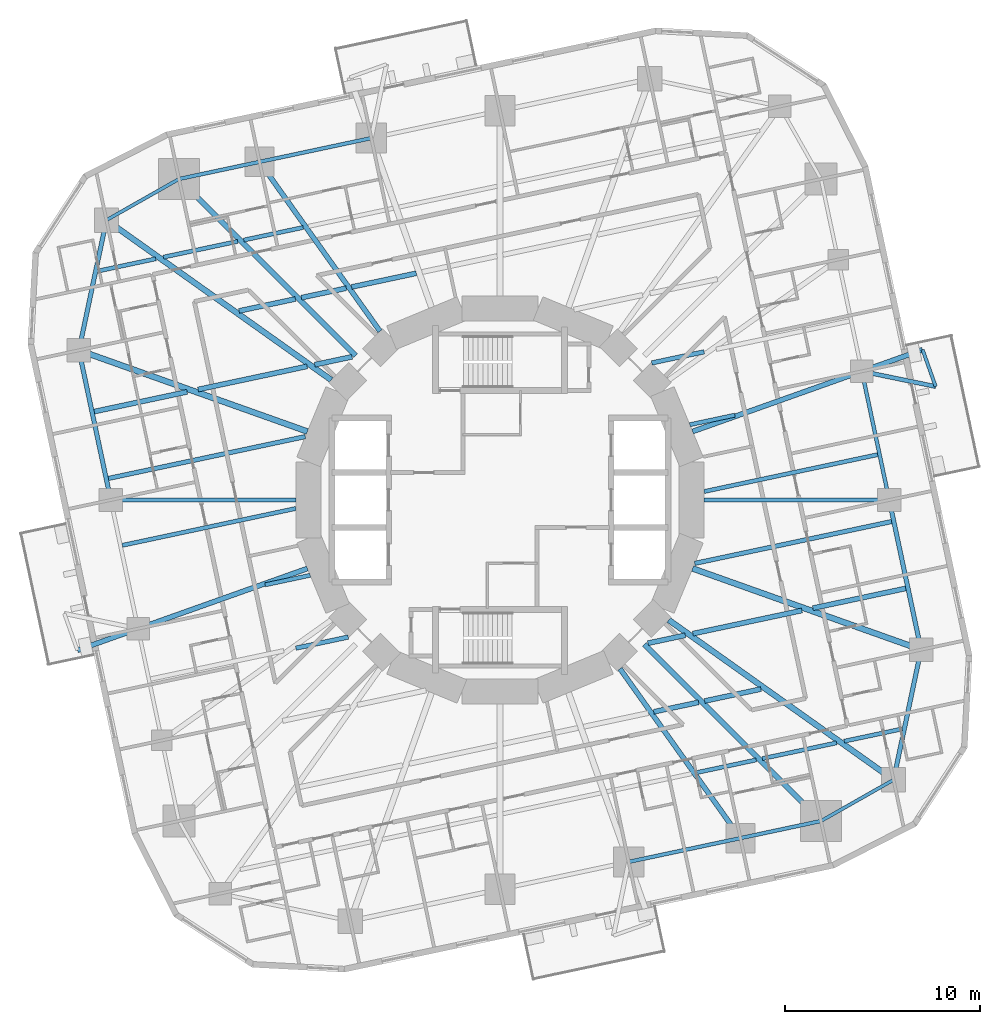
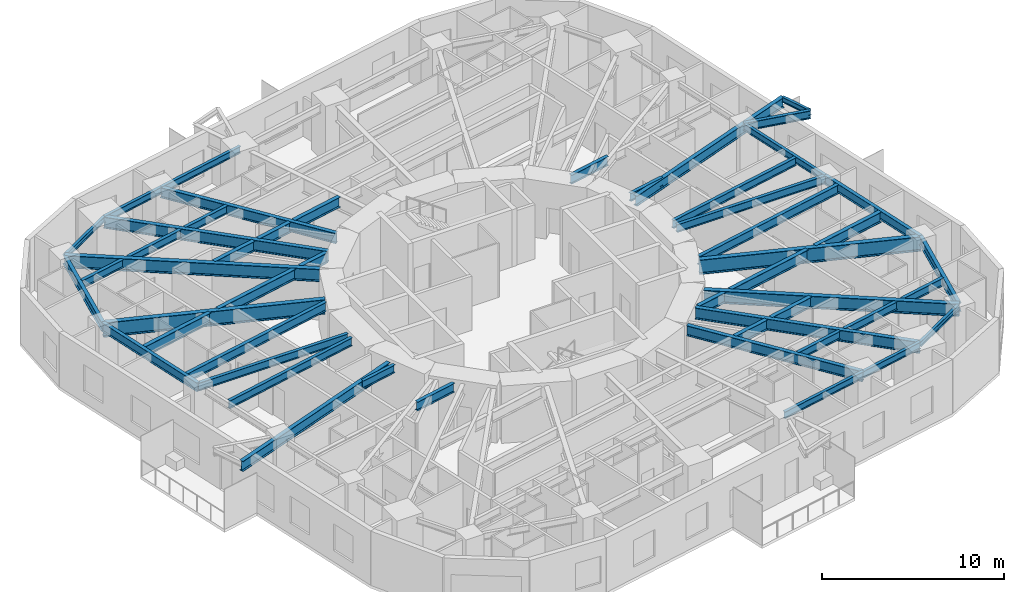
# One storey, part 2 of 14: 50 beams.
"""IFC4 building model written with IfcOpenShell, lengths in metres."""

import ifcopenshell
import ifcopenshell.guid

model = None  # the IFC model being written
_history = None  # IfcOwnerHistory: only IFC2X3 demands one
_inside = {}  # id of a spatial element -> (the spatial element, [elements in it])
_under = {}  # id of a project, library or spatial element -> (it, [spatial elements below it])
_declared = {}  # id of a project -> (the project, [libraries it declares])
_typed = {}  # id of a type object -> (the type object, [elements of that type])
_made_of = {}  # id of a material, layer set ... -> (it, [elements and type objects made of it])


def new_model(schema):
    """Start an empty IFC model of exactly this schema.

    Asked for "IFC4X3", IfcOpenShell would pick the latest addendum, in which some entities
    have other attributes; the version numbers below select the first issue.
    IFC2X3 requires an IfcOwnerHistory on every rooted entity: one is made here for all.
    """
    global model, _history
    if schema == "IFC4X3":
        model = ifcopenshell.file(schema_version=(4, 3, 0, 0))
    else:
        model = ifcopenshell.file(schema=schema)
    _inside.clear()
    _under.clear()
    _declared.clear()
    _typed.clear()
    _made_of.clear()
    _history = None
    if model.schema == "IFC2X3":
        org = make("IfcOrganization", Name="unknown")
        user = make(
            "IfcPersonAndOrganization",
            ThePerson=make("IfcPerson", FamilyName="unknown"),
            TheOrganization=org,
        )
        app = make(
            "IfcApplication",
            ApplicationDeveloper=org,
            Version="unknown",
            ApplicationFullName="unknown",
            ApplicationIdentifier="unknown",
        )
        _history = make(
            "IfcOwnerHistory",
            OwningUser=user,
            OwningApplication=app,
            ChangeAction="ADDED",
            CreationDate=0,
        )
    return model


def make(cls, **values):
    """One entity of the class cls with the attributes given. An attribute that is None is left unset."""
    return model.create_entity(
        cls, **{name: value for name, value in values.items() if value is not None}
    )


def rooted(cls, **values):
    """An entity with a GlobalId (a new one), such as an element, a storey or a relation."""
    return make(cls, GlobalId=ifcopenshell.guid.new(), OwnerHistory=_history, **values)


def si_unit(unit_type, name, prefix=None):
    """IfcSIUnit, for example si_unit("LENGTHUNIT", "METRE", prefix="MILLI")."""
    return make("IfcSIUnit", UnitType=unit_type, Prefix=prefix, Name=name)


def assignment(units):
    """IfcUnitAssignment: the units of a project."""
    return None if units is None else make("IfcUnitAssignment", Units=units)


def point(xyz):
    """IfcCartesianPoint."""
    return None if xyz is None else make("IfcCartesianPoint", Coordinates=xyz)


def direction(xyz):
    """IfcDirection."""
    return None if xyz is None else make("IfcDirection", DirectionRatios=xyz)


def frame(location, z_axis=None, x_axis=None):
    """IfcAxis2Placement3D, a coordinate frame: its origin and axes. An axis left out is left unset."""
    return make(
        "IfcAxis2Placement3D",
        Location=point(location),
        Axis=direction(z_axis),
        RefDirection=direction(x_axis),
    )


def frame_2d(location, x_axis=None):
    """IfcAxis2Placement2D, a coordinate frame in the plane: its origin and x axis."""
    return make(
        "IfcAxis2Placement2D", Location=point(location), RefDirection=direction(x_axis)
    )


def origin():
    """The frame at (0, 0, 0) with its axes left unset."""
    return frame((0.0, 0.0, 0.0))


def origin_2d():
    """The frame at (0, 0) in the plane with its x axis left unset."""
    return frame_2d((0.0, 0.0))


def place(relative_to, where):
    """IfcLocalPlacement: puts the frame where relative to a parent placement (None: the world)."""
    return make(
        "IfcLocalPlacement", PlacementRelTo=relative_to, RelativePlacement=where
    )


def context(
    kind, dimensions, precision=None, world=None, true_north=None, identifier=None
):
    """IfcGeometricRepresentationContext, for example the 3D "Model" context."""
    return make(
        "IfcGeometricRepresentationContext",
        ContextIdentifier=identifier,
        ContextType=kind,
        CoordinateSpaceDimension=dimensions,
        Precision=precision,
        WorldCoordinateSystem=world,
        TrueNorth=true_north,
    )


def subcontext(parent, identifier, kind, view, scale=None):
    """IfcGeometricRepresentationSubContext, for example "Body" below "Model"."""
    return make(
        "IfcGeometricRepresentationSubContext",
        ContextIdentifier=identifier,
        ContextType=kind,
        ParentContext=parent,
        TargetScale=scale,
        TargetView=view,
    )


def project(units=None, contexts=None):
    """IfcProject with its units and contexts."""
    return rooted(
        "IfcProject",
        Name="project",
        RepresentationContexts=contexts,
        UnitsInContext=assignment(units),
    )


def spatial(cls, under=None, at=None, **own):
    """A site, building, storey or space (cls), placed at a placement, below another one or the project."""
    s = rooted(cls, ObjectPlacement=at, **own)
    if under is not None:
        _under.setdefault(under.id(), (under, []))[1].append(s)
    return s


def profile(cls, at=None, kind="AREA", **sizes):
    """A parametric profile (cls). Its sizes go by their IFC names, for example OverallWidth=200.0."""
    return make(cls, ProfileType=kind, Position=at, **sizes)


def i_section(**sizes):
    """IfcIShapeProfileDef."""
    return profile("IfcIShapeProfileDef", **sizes)


def extrude(swept, where, along, depth):
    """IfcExtrudedAreaSolid: the profile swept, set in the frame where, extruded along a direction by depth."""
    return make(
        "IfcExtrudedAreaSolid",
        SweptArea=swept,
        Position=where,
        ExtrudedDirection=direction(along),
        Depth=depth,
    )


def shape(context_of_items, identifier, shape_type, items):
    """IfcShapeRepresentation: the items that make up one representation, for example the "Body"."""
    return make(
        "IfcShapeRepresentation",
        ContextOfItems=context_of_items,
        RepresentationIdentifier=identifier,
        RepresentationType=shape_type,
        Items=items,
    )


def material(Name=None, Category=None):
    """IfcMaterial."""
    return make("IfcMaterial", Name=Name, Category=Category)


def material_profile(
    of_material, cross_section, Name=None, Category=None, Priority=None
):
    """IfcMaterialProfile: a cross section and its material."""
    return make(
        "IfcMaterialProfile",
        Name=Name,
        Material=of_material,
        Profile=cross_section,
        Priority=Priority,
        Category=Category,
    )


def profile_set(profiles, Name=None, composite=None):
    """IfcMaterialProfileSet."""
    return make(
        "IfcMaterialProfileSet",
        Name=Name,
        MaterialProfiles=profiles,
        CompositeProfile=composite,
    )


def made_of(thing, what):
    """Note that an element or type object is made of a material, layer set ...; save() writes the relation."""
    if what is not None:
        _made_of.setdefault(what.id(), (what, []))[1].append(thing)
    return thing


def type_object(cls, material=None, **own):
    """A type object (cls), such as IfcWallType, which elements share."""
    return made_of(rooted(cls, **own), material)


def element(
    cls,
    number,
    at=None,
    inside=None,
    cuts=None,
    type_object=None,
    material=None,
    context=None,
    identifier="Body",
    shape_type=None,
    held_by="IfcProductDefinitionShape",
    body=None,
    shapes=None,
    **own,
):
    """One element of the class cls, such as IfcWall. Its Tag is "e" and its number.

    at: its placement. inside: the storey or other place that contains it. cuts: it is an
    opening in that element (IfcRelVoidsElement). A single representation is given by context,
    identifier, shape_type and body (its items); several are given by shapes. held_by: the class
    of the entity that holds the representations. save() writes the other relations.
    """
    e = rooted(cls, Tag="e%d" % number, ObjectPlacement=at, **own)
    if body is not None:
        shapes = [shape(context, identifier, shape_type, body)]
    if shapes is not None:
        e.Representation = make(held_by, Representations=shapes)
    if inside is not None:
        _inside.setdefault(inside.id(), (inside, []))[1].append(e)
    if cuts is not None:
        rooted(
            "IfcRelVoidsElement", RelatingBuildingElement=cuts, RelatedOpeningElement=e
        )
    if type_object is not None:
        _typed.setdefault(type_object.id(), (type_object, []))[1].append(e)
    return made_of(e, material)


def aggregate(whole, parts):
    """IfcRelAggregates: a whole, such as a stair, and the parts it consists of."""
    return rooted("IfcRelAggregates", RelatingObject=whole, RelatedObjects=parts)


def save(model, path):
    """Write the relations noted so far, then the file.

    IfcRelAggregates (storeys below a building ...), IfcRelContainedInSpatialStructure (elements
    in a storey), IfcRelDefinesByType, IfcRelAssociatesMaterial and IfcRelDeclares: one each for
    every whole, place, type object, material and project.
    """
    for whole, parts in _under.values():
        aggregate(whole, parts)
    for where, things in _inside.values():
        rooted(
            "IfcRelContainedInSpatialStructure",
            RelatedElements=things,
            RelatingStructure=where,
        )
    for kind, things in _typed.values():
        rooted("IfcRelDefinesByType", RelatedObjects=things, RelatingType=kind)
    for what, things in _made_of.values():
        rooted("IfcRelAssociatesMaterial", RelatedObjects=things, RelatingMaterial=what)
    for by, libraries in _declared.values():
        rooted("IfcRelDeclares", RelatingContext=by, RelatedDefinitions=libraries)
    model.write(path)


model = new_model("IFC4")

# Units and contexts
model_context = context("Model", 3, precision=1e-05, world=origin(), true_north=direction((0.0, 1.0)))
body_context = subcontext(model_context, "Body", "Model", "MODEL_VIEW")
ifc_project = project(units=[si_unit("LENGTHUNIT", "METRE"), si_unit("AREAUNIT", "SQUARE_METRE"), si_unit("VOLUMEUNIT", "CUBIC_METRE"), si_unit("PLANEANGLEUNIT", "RADIAN"), si_unit("MASSUNIT", "GRAM", prefix="KILO")], contexts=[model_context])

# Site, building, storey
site_placement = place(None, origin())
site = spatial("IfcSite", under=ifc_project, at=site_placement, CompositionType="ELEMENT")
building_placement = place(site_placement, origin())
building = spatial("IfcBuilding", under=site, at=building_placement, Name="Nakasero Lantern House", CompositionType="ELEMENT")
storey_placement = place(building_placement, frame((0.0, 0.0, 124.25)))
storey = spatial("IfcBuildingStorey", under=building, at=storey_placement, Name="L30", CompositionType="ELEMENT", Elevation=124.25)

# Beams
ifc_material_1 = material(Name="Steel S355", Category="steel")
ifc_material_profile_1 = material_profile(ifc_material_1, i_section(OverallWidth=0.2138671875, OverallDepth=0.549072265625, WebThickness=0.0146484375, FlangeThickness=0.023681640625, FilletRadius=0.0126953125, at=origin_2d()), Name="UB 533x210x138")
ifc_profile_set_1 = profile_set([ifc_material_profile_1], Name="Steel S355")
beam_type_1 = type_object("IfcBeamType", Name="Balcony splay beam UB 533x210x138", PredefinedType="BEAM", material=ifc_profile_set_1)
beam_1_placement = place(storey_placement, frame((18.534912109375, 6.590087890625, 3.37548828125), z_axis=(0.979420272605, -0.201831438605, 0.0), x_axis=(0.201831438605, 0.979420272605, 0.0)))
element("IfcBeam", 1, at=beam_1_placement, inside=storey, type_object=beam_type_1, Name="Balcony splay beam L31 B3-C04A", PredefinedType="BEAM", context=body_context, shape_type="SweptSolid", body=[
    extrude(i_section(OverallWidth=0.2138671875, OverallDepth=0.549072265625, WebThickness=0.0146484375, FlangeThickness=0.023681640625, FilletRadius=0.0126953125, at=origin_2d()), origin(), (0.0, 0.0, 1.0), 3.858642578125),
])
ifc_material_2 = material(Name="Steel S355", Category="steel")
ifc_material_profile_2 = material_profile(ifc_material_2, i_section(OverallWidth=0.17138671875, OverallDepth=0.35498046875, WebThickness=0.00732421875, FlangeThickness=0.011474609375, FilletRadius=0.01025390625, at=origin_2d()), Name="UB 356x171x51")
ifc_profile_set_2 = profile_set([ifc_material_profile_2], Name="Steel S355")
beam_type_2 = type_object("IfcBeamType", Name="Balcony tie beam UB 356x171x51", PredefinedType="BEAM", material=ifc_profile_set_2)
beam_2_placement = place(storey_placement, frame((22.314208984375, 5.811279296875, 3.472412109375), z_axis=(-0.335060236487, 0.942196708721, 0.0), x_axis=(-0.942196708721, -0.335060236487, 0.0)))
element("IfcBeam", 2, at=beam_2_placement, inside=storey, type_object=beam_type_2, Name="Balcony tie beam L31 B3-C04", PredefinedType="BEAM", context=body_context, shape_type="SweptSolid", body=[
    extrude(i_section(OverallWidth=0.17138671875, OverallDepth=0.35498046875, WebThickness=0.00732421875, FlangeThickness=0.011474609375, FilletRadius=0.01025390625, at=origin_2d()), origin(), (0.0, 0.0, 1.0), 2.000244140625),
])
ifc_material_3 = material(Name="Steel S355", Category="steel")
ifc_material_profile_3 = material_profile(ifc_material_3, i_section(OverallWidth=0.2099609375, OverallDepth=0.53662109375, WebThickness=0.0107421875, FlangeThickness=0.017333984375, FilletRadius=0.0126953125, at=origin_2d()), Name="UB 533x210x101")
ifc_profile_set_3 = profile_set([ifc_material_profile_3], Name="Steel S355")
beam_type_3 = type_object("IfcBeamType", Name="Infill beam UB 533x210x101", PredefinedType="JOIST", material=ifc_profile_set_3)
beam_3_placement = place(storey_placement, frame((10.0830078125, -13.958740234375, 3.381591796875), z_axis=(0.97813788874, 0.207957376908, 0.0), x_axis=(-0.207957376908, 0.97813788874, 0.0)))
element("IfcBeam", 3, at=beam_3_placement, inside=storey, type_object=beam_type_3, Name="Infill beam L31 03.5", PredefinedType="JOIST", context=body_context, shape_type="SweptSolid", body=[
    extrude(i_section(OverallWidth=0.2099609375, OverallDepth=0.53662109375, WebThickness=0.0107421875, FlangeThickness=0.017333984375, FilletRadius=0.0126953125, at=origin_2d()), origin(), (0.0, 0.0, 1.0), 3.108642578125),
])
beam_4_placement = place(storey_placement, frame((13.434814453125, -13.24609375, 3.381591796875), z_axis=(0.978152946383, 0.207886539924, 0.0), x_axis=(-0.207886539924, 0.978152946383, 0.0)))
element("IfcBeam", 4, at=beam_4_placement, inside=storey, type_object=beam_type_3, Name="Infill beam L31 03.6", PredefinedType="JOIST", context=body_context, shape_type="SweptSolid", body=[
    extrude(i_section(OverallWidth=0.2099609375, OverallDepth=0.53662109375, WebThickness=0.0107421875, FlangeThickness=0.017333984375, FilletRadius=0.0126953125, at=origin_2d()), origin(), (0.0, 0.0, 1.0), 3.888427734375),
])
beam_5_placement = place(storey_placement, frame((17.626708984375, -12.355224609375, 3.381591796875), z_axis=(0.978152299812, 0.207889582165, 0.0), x_axis=(-0.207889582165, 0.978152299812, 0.0)))
element("IfcBeam", 5, at=beam_5_placement, inside=storey, type_object=beam_type_3, Name="Infill beam L31 03.7", PredefinedType="JOIST", context=body_context, shape_type="SweptSolid", body=[
    extrude(i_section(OverallWidth=0.2099609375, OverallDepth=0.53662109375, WebThickness=0.0107421875, FlangeThickness=0.017333984375, FilletRadius=0.0126953125, at=origin_2d()), origin(), (0.0, 0.0, 1.0), 3.031005859375),
])
beam_6_placement = place(storey_placement, frame((-12.030029296875, -4.34619140625, 3.381591796875), z_axis=(0.97814938161, 0.207903312278, 0.0), x_axis=(-0.207903312278, 0.97814938161, 0.0)))
element("IfcBeam", 6, at=beam_6_placement, inside=storey, type_object=beam_type_3, Name="Infill beam L31 07.1", PredefinedType="JOIST", context=body_context, shape_type="SweptSolid", body=[
    extrude(i_section(OverallWidth=0.2099609375, OverallDepth=0.53662109375, WebThickness=0.0107421875, FlangeThickness=0.017333984375, FilletRadius=0.0126953125, at=origin_2d()), origin(), (0.0, 0.0, 1.0), 2.359130859375),
])
for number, where, z_axis, x_axis, name in (
    (7, (10.457763671875, 0.433837890625, 3.381591796875), (0.978146760676, 0.207915642939, 0.0), (-0.207915642939, 0.978146760676, 0.0), "Infill beam L31 07.2"),
    (8, (-19.34423828125, -2.32275390625, 3.381591796875), (0.978146760676, 0.207915642939, 0.0), (-0.207915642939, 0.978146760676, 0.0), "Infill beam L31 08.1"),
):
    element("IfcBeam", number, at=place(storey_placement, frame(where, z_axis=z_axis, x_axis=x_axis)), inside=storey, type_object=beam_type_3, Name=name, PredefinedType="JOIST", context=body_context, shape_type="SweptSolid", body=[
        extrude(i_section(OverallWidth=0.2099609375, OverallDepth=0.53662109375, WebThickness=0.0107421875, FlangeThickness=0.017333984375, FilletRadius=0.0126953125, at=origin_2d()), origin(), (0.0, 0.0, 1.0), 9.0849609375),
    ])
beam_7_placement = place(storey_placement, frame((9.722412109375, 3.855712890625, 3.381591796875), z_axis=(0.97814938161, 0.207903312278, 0.0), x_axis=(-0.207903312278, 0.97814938161, 0.0)))
element("IfcBeam", 9, at=beam_7_placement, inside=storey, type_object=beam_type_3, Name="Infill beam L31 08.2", PredefinedType="JOIST", context=body_context, shape_type="SweptSolid", body=[
    extrude(i_section(OverallWidth=0.2099609375, OverallDepth=0.53662109375, WebThickness=0.0107421875, FlangeThickness=0.017333984375, FilletRadius=0.0126953125, at=origin_2d()), origin(), (0.0, 0.0, 1.0), 2.359130859375),
])
beam_8_placement = place(storey_placement, frame((-20.591552734375, 11.72509765625, 3.381591796875), z_axis=(0.978152299812, 0.207889582165, 0.0), x_axis=(-0.207889582165, 0.978152299812, 0.0)))
element("IfcBeam", 10, at=beam_8_placement, inside=storey, type_object=beam_type_3, Name="Infill beam L31 12.1", PredefinedType="JOIST", context=body_context, shape_type="SweptSolid", body=[
    extrude(i_section(OverallWidth=0.2099609375, OverallDepth=0.53662109375, WebThickness=0.0107421875, FlangeThickness=0.017333984375, FilletRadius=0.0126953125, at=origin_2d()), origin(), (0.0, 0.0, 1.0), 3.031005859375),
])
beam_9_placement = place(storey_placement, frame((-17.23828125, 12.437744140625, 3.381591796875), z_axis=(0.978152946383, 0.207886539924, 0.0), x_axis=(-0.207886539924, 0.978152946383, 0.0)))
element("IfcBeam", 11, at=beam_9_placement, inside=storey, type_object=beam_type_3, Name="Infill beam L31 12.2", PredefinedType="JOIST", context=body_context, shape_type="SweptSolid", body=[
    extrude(i_section(OverallWidth=0.2099609375, OverallDepth=0.53662109375, WebThickness=0.0107421875, FlangeThickness=0.017333984375, FilletRadius=0.0126953125, at=origin_2d()), origin(), (0.0, 0.0, 1.0), 3.888427734375),
])
beam_10_placement = place(storey_placement, frame((-13.123779296875, 13.312255859375, 3.381591796875), z_axis=(0.97813788874, 0.207957376908, 0.0), x_axis=(-0.207957376908, 0.97813788874, 0.0)))
element("IfcBeam", 12, at=beam_10_placement, inside=storey, type_object=beam_type_3, Name="Infill beam L31 12.3", PredefinedType="JOIST", context=body_context, shape_type="SweptSolid", body=[
    extrude(i_section(OverallWidth=0.2099609375, OverallDepth=0.53662109375, WebThickness=0.0107421875, FlangeThickness=0.017333984375, FilletRadius=0.0126953125, at=origin_2d()), origin(), (0.0, 0.0, 1.0), 3.108642578125),
])
ifc_material_4 = material(Name="Steel S355", Category="steel")
ifc_material_profile_4 = material_profile(ifc_material_4, i_section(OverallWidth=0.2275390625, OverallDepth=0.6025390625, WebThickness=0.010498046875, FlangeThickness=0.014892578125, FilletRadius=0.0126953125, at=origin_2d()), Name="UB 610x229x101")
ifc_profile_set_4 = profile_set([ifc_material_profile_4], Name="Steel S355")
beam_type_4 = type_object("IfcBeamType", Name="Infill beam UB 610x229x101", PredefinedType="JOIST", material=ifc_profile_set_4)
beam_11_placement = place(storey_placement, frame((-10.453369140625, -7.58935546875, 3.3486328125), z_axis=(0.978139842642, 0.207948186423, 0.0), x_axis=(-0.207948186423, 0.978139842642, 0.0)))
element("IfcBeam", 13, at=beam_11_placement, inside=storey, type_object=beam_type_4, Name="Infill beam L31 06.2", PredefinedType="JOIST", context=body_context, shape_type="SweptSolid", body=[
    extrude(i_section(OverallWidth=0.2275390625, OverallDepth=0.6025390625, WebThickness=0.010498046875, FlangeThickness=0.014892578125, FilletRadius=0.0126953125, at=origin_2d()), origin(), (0.0, 0.0, 1.0), 2.74267578125),
])
for number, where, z_axis, x_axis, name in (
    (14, (9.974365234375, -3.2470703125, 3.3486328125), (0.978151564707, 0.207893040916, 0.0), (-0.207893040916, 0.978151564707, 0.0), "Infill beam L31 06.3"),
    (15, (-20.05419921875, 1.104736328125, 3.3486328125), (0.978151564707, 0.207893040916, 0.0), (-0.207893040916, 0.978151564707, 0.0), "Infill beam L31 09.1"),
):
    element("IfcBeam", number, at=place(storey_placement, frame(where, z_axis=z_axis, x_axis=x_axis)), inside=storey, type_object=beam_type_4, Name=name, PredefinedType="JOIST", context=body_context, shape_type="SweptSolid", body=[
        extrude(i_section(OverallWidth=0.2275390625, OverallDepth=0.6025390625, WebThickness=0.010498046875, FlangeThickness=0.014892578125, FilletRadius=0.0126953125, at=origin_2d()), origin(), (0.0, 0.0, 1.0), 10.304931640625),
    ])
beam_12_placement = place(storey_placement, frame((7.770751953125, 7.01904296875, 3.3486328125), z_axis=(0.978139842642, 0.207948186423, 0.0), x_axis=(-0.207948186423, 0.978139842642, 0.0)))
element("IfcBeam", 16, at=beam_12_placement, inside=storey, type_object=beam_type_4, Name="Infill beam L31 09.2", PredefinedType="JOIST", context=body_context, shape_type="SweptSolid", body=[
    extrude(i_section(OverallWidth=0.2275390625, OverallDepth=0.6025390625, WebThickness=0.010498046875, FlangeThickness=0.014892578125, FilletRadius=0.0126953125, at=origin_2d()), origin(), (0.0, 0.0, 1.0), 2.74267578125),
])
ifc_material_5 = material(Name="Steel S355", Category="steel")
ifc_material_profile_5 = material_profile(ifc_material_5, i_section(OverallWidth=0.253662109375, OverallDepth=0.68359375, WebThickness=0.012451171875, FlangeThickness=0.01904296875, FilletRadius=0.01513671875, at=origin_2d()), Name="UB 686x254x140")
ifc_profile_set_5 = profile_set([ifc_material_profile_5], Name="Steel S355")
beam_type_5 = type_object("IfcBeamType", Name="Infill beam UB 686x254x140", PredefinedType="JOIST", material=ifc_profile_set_5)
beam_13_placement = place(storey_placement, frame((7.872802734375, -10.850341796875, 3.308349609375), z_axis=(0.97813694426, 0.207961819271, 0.0), x_axis=(-0.207961819271, 0.97813694426, 0.0)))
element("IfcBeam", 17, at=beam_13_placement, inside=storey, type_object=beam_type_5, Name="Infill beam L31 04.5", PredefinedType="JOIST", context=body_context, shape_type="SweptSolid", body=[
    extrude(i_section(OverallWidth=0.253662109375, OverallDepth=0.68359375, WebThickness=0.012451171875, FlangeThickness=0.01904296875, FilletRadius=0.01513671875, at=origin_2d()), origin(), (0.0, 0.0, 1.0), 2.3515625),
])
for number, where, z_axis, x_axis, name in (
    (18, (10.48388671875, -10.295166015625, 3.308349609375), (0.978146839882, 0.207915270313, 0.0), (-0.207915270313, 0.978146839882, 0.0), "Infill beam L31 04.6"),
    (19, (-13.364501953125, 9.682861328125, 3.308349609375), (0.978146839882, 0.207915270313, 0.0), (-0.207915270313, 0.978146839882, 0.0), "Infill beam L31 11.1"),
):
    element("IfcBeam", number, at=place(storey_placement, frame(where, z_axis=z_axis, x_axis=x_axis)), inside=storey, type_object=beam_type_5, Name=name, PredefinedType="JOIST", context=body_context, shape_type="SweptSolid", body=[
        extrude(i_section(OverallWidth=0.253662109375, OverallDepth=0.68359375, WebThickness=0.012451171875, FlangeThickness=0.01904296875, FilletRadius=0.01513671875, at=origin_2d()), origin(), (0.0, 0.0, 1.0), 2.945068359375),
    ])
beam_14_placement = place(storey_placement, frame((-10.1728515625, 10.361328125, 3.308349609375), z_axis=(0.97813694426, 0.207961819271, 0.0), x_axis=(-0.207961819271, 0.97813694426, 0.0)))
element("IfcBeam", 20, at=beam_14_placement, inside=storey, type_object=beam_type_5, Name="Infill beam L31 11.2", PredefinedType="JOIST", context=body_context, shape_type="SweptSolid", body=[
    extrude(i_section(OverallWidth=0.253662109375, OverallDepth=0.68359375, WebThickness=0.012451171875, FlangeThickness=0.01904296875, FilletRadius=0.01513671875, at=origin_2d()), origin(), (0.0, 0.0, 1.0), 2.3515625),
])
beam_15_placement = place(storey_placement, frame((-7.60009765625, 10.908203125, 3.308349609375), z_axis=(0.978143084163, 0.207932938478, 0.0), x_axis=(-0.207932938478, 0.978143084163, 0.0)))
element("IfcBeam", 21, at=beam_15_placement, inside=storey, type_object=beam_type_5, Name="Infill beam L31 11.3", PredefinedType="JOIST", context=body_context, shape_type="SweptSolid", body=[
    extrude(i_section(OverallWidth=0.253662109375, OverallDepth=0.68359375, WebThickness=0.012451171875, FlangeThickness=0.01904296875, FilletRadius=0.01513671875, at=origin_2d()), origin(), (0.0, 0.0, 1.0), 3.385009765625),
])
ifc_material_6 = material(Name="Steel S355", Category="steel")
ifc_material_profile_6 = material_profile(ifc_material_6, i_section(OverallWidth=0.255859375, OverallDepth=0.69287109375, WebThickness=0.014404296875, FlangeThickness=0.023681640625, FilletRadius=0.01513671875, at=origin_2d()), Name="UB 686x254x170")
ifc_profile_set_6 = profile_set([ifc_material_profile_6], Name="Steel S355")
beam_type_6 = type_object("IfcBeamType", Name="Infill beam UB 686x254x170", PredefinedType="JOIST", material=ifc_profile_set_6)
beam_16_placement = place(storey_placement, frame((7.5771484375, -7.3349609375, 3.303466796875), z_axis=(0.978142670498, 0.207934884401, 0.0), x_axis=(-0.207934884401, 0.978142670498, 0.0)))
element("IfcBeam", 22, at=beam_16_placement, inside=storey, type_object=beam_type_6, Name="Infill beam L31 05.3", PredefinedType="JOIST", context=body_context, shape_type="SweptSolid", body=[
    extrude(i_section(OverallWidth=0.255859375, OverallDepth=0.69287109375, WebThickness=0.014404296875, FlangeThickness=0.023681640625, FilletRadius=0.01513671875, at=origin_2d()), origin(), (0.0, 0.0, 1.0), 1.9560546875),
])
beam_17_placement = place(storey_placement, frame((9.87890625, -6.845703125, 3.303466796875), z_axis=(0.978148855575, 0.207905787166, 0.0), x_axis=(-0.207905787166, 0.978148855575, 0.0)))
element("IfcBeam", 23, at=beam_17_placement, inside=storey, type_object=beam_type_6, Name="Infill beam L31 05.4", PredefinedType="JOIST", context=body_context, shape_type="SweptSolid", body=[
    extrude(i_section(OverallWidth=0.255859375, OverallDepth=0.69287109375, WebThickness=0.014404296875, FlangeThickness=0.023681640625, FilletRadius=0.01513671875, at=origin_2d()), origin(), (0.0, 0.0, 1.0), 5.711669921875),
])
for number, where, z_axis, x_axis, name in (
    (24, (16.026123046875, -5.5390625, 3.303466796875), (0.978141363358, 0.207941033198, 0.0), (-0.207941033198, 0.978141363358, 0.0), "Infill beam L31 05.5"),
    (25, (-20.78173828125, 4.528076171875, 3.303466796875), (0.978141363358, 0.207941033198, 0.0), (-0.207941033198, 0.978141363358, 0.0), "Infill beam L31 10.1"),
):
    element("IfcBeam", number, at=place(storey_placement, frame(where, z_axis=z_axis, x_axis=x_axis)), inside=storey, type_object=beam_type_6, Name=name, PredefinedType="JOIST", context=body_context, shape_type="SweptSolid", body=[
        extrude(i_section(OverallWidth=0.255859375, OverallDepth=0.69287109375, WebThickness=0.014404296875, FlangeThickness=0.023681640625, FilletRadius=0.01513671875, at=origin_2d()), origin(), (0.0, 0.0, 1.0), 4.86181640625),
    ])
beam_18_placement = place(storey_placement, frame((-15.4658203125, 5.658203125, 3.303466796875), z_axis=(0.978148855575, 0.207905787166, 0.0), x_axis=(-0.207905787166, 0.978148855575, 0.0)))
element("IfcBeam", 26, at=beam_18_placement, inside=storey, type_object=beam_type_6, Name="Infill beam L31 10.2", PredefinedType="JOIST", context=body_context, shape_type="SweptSolid", body=[
    extrude(i_section(OverallWidth=0.255859375, OverallDepth=0.69287109375, WebThickness=0.014404296875, FlangeThickness=0.023681640625, FilletRadius=0.01513671875, at=origin_2d()), origin(), (0.0, 0.0, 1.0), 5.711669921875),
])
beam_19_placement = place(storey_placement, frame((-9.490478515625, 6.92822265625, 3.303466796875), z_axis=(0.978142670498, 0.207934884401, 0.0), x_axis=(-0.207934884401, 0.978142670498, 0.0)))
element("IfcBeam", 27, at=beam_19_placement, inside=storey, type_object=beam_type_6, Name="Infill beam L31 10.3", PredefinedType="JOIST", context=body_context, shape_type="SweptSolid", body=[
    extrude(i_section(OverallWidth=0.255859375, OverallDepth=0.69287109375, WebThickness=0.014404296875, FlangeThickness=0.023681640625, FilletRadius=0.01513671875, at=origin_2d()), origin(), (0.0, 0.0, 1.0), 1.9560546875),
])
ifc_material_7 = material(Name="Steel S355", Category="steel")
ifc_material_profile_7 = material_profile(ifc_material_7, i_section(OverallWidth=0.300048828125, OverallDepth=0.97998046875, WebThickness=0.0166015625, FlangeThickness=0.02587890625, FilletRadius=0.030029296875, at=origin_2d()), Name="UB 1016x305x249")
ifc_profile_set_7 = profile_set([ifc_material_profile_7], Name="Steel S355")
beam_type_7 = type_object("IfcBeamType", Name="Primary beam UB 1016x305x249, span 12 to 15 m", PredefinedType="BEAM", material=ifc_profile_set_7)
for number, where, z_axis, x_axis, name in (
    (28, (21.5654296875, -7.667724609375, 3.159912109375), (-0.942213862739, 0.335011995103, 0.0), (-0.335011995103, -0.942213862739, 0.0), "Primary beam L31 B3-C02"),
    (29, (-21.5654296875, 7.667724609375, 3.159912109375), (0.942213862739, -0.335011995103, 0.0), (0.335011995103, 0.942213862739, 0.0), "Primary beam L31 B3-C14"),
):
    element("IfcBeam", number, at=place(storey_placement, frame(where, z_axis=z_axis, x_axis=x_axis)), inside=storey, type_object=beam_type_7, Name=name, PredefinedType="BEAM", context=body_context, shape_type="SweptSolid", body=[
        extrude(i_section(OverallWidth=0.300048828125, OverallDepth=0.97998046875, WebThickness=0.0166015625, FlangeThickness=0.02587890625, FilletRadius=0.030029296875, at=origin_2d()), origin(), (0.0, 0.0, 1.0), 12.41650390625),
    ])
ifc_material_8 = material(Name="Steel S355", Category="steel")
ifc_material_profile_8 = material_profile(ifc_material_8, i_section(OverallWidth=0.208740234375, OverallDepth=0.5283203125, WebThickness=0.009521484375, FlangeThickness=0.01318359375, FilletRadius=0.0126953125, at=origin_2d()), Name="UB 533x210x82")
ifc_profile_set_8 = profile_set([ifc_material_profile_8], Name="Steel S355")
beam_type_8 = type_object("IfcBeamType", Name="Primary beam UB 533x210x82, span 9 to 12 m", PredefinedType="BEAM", material=ifc_profile_set_8)
for number, where, z_axis, x_axis, name in (
    (30, (19.935546875, 0.0, 3.3857421875), (-1.0, 0.0, 0.0), (0.0, -1.0, 0.0), "Primary beam L31 B3-C03"),
    (31, (-19.935546875, 0.0, 3.3857421875), (1.0, 0.0, 0.0), (0.0, 1.0, 0.0), "Primary beam L31 B3-C15"),
):
    element("IfcBeam", number, at=place(storey_placement, frame(where, z_axis=z_axis, x_axis=x_axis)), inside=storey, type_object=beam_type_8, Name=name, PredefinedType="BEAM", context=body_context, shape_type="SweptSolid", body=[
        extrude(i_section(OverallWidth=0.208740234375, OverallDepth=0.5283203125, WebThickness=0.009521484375, FlangeThickness=0.01318359375, FilletRadius=0.0126953125, at=origin_2d()), origin(), (0.0, 0.0, 1.0), 9.477783203125),
    ])
ifc_material_9 = material(Name="Steel S355", Category="steel")
ifc_material_profile_9 = material_profile(ifc_material_9, i_section(OverallWidth=0.255859375, OverallDepth=0.69287109375, WebThickness=0.014404296875, FlangeThickness=0.023681640625, FilletRadius=0.01513671875, at=origin_2d()), Name="UB 686x254x170")
ifc_profile_set_9 = profile_set([ifc_material_profile_9], Name="Steel S355")
beam_type_9 = type_object("IfcBeamType", Name="Primary beam UB 686x254x170, span 9 to 12 m", PredefinedType="BEAM", material=ifc_profile_set_9)
beam_20_placement = place(storey_placement, frame((21.64404296875, 7.69580078125, 3.303466796875), z_axis=(-0.942210717159, -0.335020841845, 0.0), x_axis=(0.335020841845, -0.942210717159, 0.0)))
element("IfcBeam", 32, at=beam_20_placement, inside=storey, type_object=beam_type_9, Name="Primary beam L31 B3-C04", PredefinedType="BEAM", context=body_context, shape_type="SweptSolid", body=[
    extrude(i_section(OverallWidth=0.255859375, OverallDepth=0.69287109375, WebThickness=0.014404296875, FlangeThickness=0.023681640625, FilletRadius=0.01513671875, at=origin_2d()), origin(), (0.0, 0.0, 1.0), 12.5),
])
beam_21_placement = place(storey_placement, frame((-12.31494140625, 17.318115234375, 3.303466796875), z_axis=(0.579520739774, -0.814957491022, 0.0), x_axis=(0.814957491022, 0.579520739774, 0.0)))
element("IfcBeam", 33, at=beam_21_placement, inside=storey, type_object=beam_type_9, Name="Primary beam L31 B3-C11", PredefinedType="BEAM", context=body_context, shape_type="SweptSolid", body=[
    extrude(i_section(OverallWidth=0.255859375, OverallDepth=0.69287109375, WebThickness=0.014404296875, FlangeThickness=0.023681640625, FilletRadius=0.01513671875, at=origin_2d()), origin(), (0.0, 0.0, 1.0), 10.64453125),
])
beam_22_placement = place(storey_placement, frame((-21.64404296875, -7.69580078125, 3.303466796875), z_axis=(0.942210717159, 0.335020841845, 0.0), x_axis=(-0.335020841845, 0.942210717159, 0.0)))
element("IfcBeam", 34, at=beam_22_placement, inside=storey, type_object=beam_type_9, Name="Primary beam L31 B3-C16", PredefinedType="BEAM", context=body_context, shape_type="SweptSolid", body=[
    extrude(i_section(OverallWidth=0.255859375, OverallDepth=0.69287109375, WebThickness=0.014404296875, FlangeThickness=0.023681640625, FilletRadius=0.01513671875, at=origin_2d()), origin(), (0.0, 0.0, 1.0), 12.5),
])
beam_23_placement = place(storey_placement, frame((12.31494140625, -17.318115234375, 3.303466796875), z_axis=(-0.579520739774, 0.814957491022, 0.0), x_axis=(-0.814957491022, -0.579520739774, 0.0)))
element("IfcBeam", 35, at=beam_23_placement, inside=storey, type_object=beam_type_9, Name="Primary beam L31 B3-C23", PredefinedType="BEAM", context=body_context, shape_type="SweptSolid", body=[
    extrude(i_section(OverallWidth=0.255859375, OverallDepth=0.69287109375, WebThickness=0.014404296875, FlangeThickness=0.023681640625, FilletRadius=0.01513671875, at=origin_2d()), origin(), (0.0, 0.0, 1.0), 10.64453125),
])
ifc_material_10 = material(Name="Steel S355", Category="steel")
ifc_material_profile_10 = material_profile(ifc_material_10, i_section(OverallWidth=0.2666015625, OverallDepth=0.76220703125, WebThickness=0.014404296875, FlangeThickness=0.021484375, FilletRadius=0.0166015625, at=origin_2d()), Name="UB 762x267x173")
ifc_profile_set_10 = profile_set([ifc_material_profile_10], Name="Steel S355")
beam_type_10 = type_object("IfcBeamType", Name="Primary beam UB 762x267x173, span 12 to 15 m", PredefinedType="BEAM", material=ifc_profile_set_10)
for number, where, z_axis, x_axis, name in (
    (36, (-16.44091796875, 16.44091796875, 3.268798828125), (0.707106781187, -0.707106781187, 0.0), (0.707106781187, 0.707106781187, 0.0), "Primary beam L31 B3-C12"),
    (37, (16.44091796875, -16.44091796875, 3.268798828125), (-0.707106781187, 0.707106781187, 0.0), (-0.707106781187, -0.707106781187, 0.0), "Primary beam L31 B3-C24"),
):
    element("IfcBeam", number, at=place(storey_placement, frame(where, z_axis=z_axis, x_axis=x_axis)), inside=storey, type_object=beam_type_10, Name=name, PredefinedType="BEAM", context=body_context, shape_type="SweptSolid", body=[
        extrude(i_section(OverallWidth=0.2666015625, OverallDepth=0.76220703125, WebThickness=0.014404296875, FlangeThickness=0.021484375, FilletRadius=0.0166015625, at=origin_2d()), origin(), (0.0, 0.0, 1.0), 12.793212890625),
    ])
ifc_material_11 = material(Name="Steel S355", Category="steel")
ifc_material_profile_11 = material_profile(ifc_material_11, i_section(OverallWidth=0.29248046875, OverallDepth=0.8408203125, WebThickness=0.0146484375, FlangeThickness=0.02685546875, FilletRadius=0.017822265625, at=origin_2d()), Name="UB 838x292x194")
ifc_profile_set_11 = profile_set([ifc_material_profile_11], Name="Steel S355")
beam_type_11 = type_object("IfcBeamType", Name="Primary beam UB 838x292x194, span 12 to 15 m", PredefinedType="BEAM", material=ifc_profile_set_11)
for number, where, z_axis, x_axis, name in (
    (38, (20.15625, -14.33349609375, 3.229736328125), (-0.814946074386, 0.57953679421, 0.0), (-0.57953679421, -0.814946074386, 0.0), "Primary beam L31 B3-C01"),
    (39, (-20.15625, 14.33349609375, 3.229736328125), (0.814946074386, -0.57953679421, 0.0), (0.57953679421, 0.814946074386, 0.0), "Primary beam L31 B3-C13"),
):
    element("IfcBeam", number, at=place(storey_placement, frame(where, z_axis=z_axis, x_axis=x_axis)), inside=storey, type_object=beam_type_11, Name=name, PredefinedType="BEAM", context=body_context, shape_type="SweptSolid", body=[
        extrude(i_section(OverallWidth=0.29248046875, OverallDepth=0.8408203125, WebThickness=0.0146484375, FlangeThickness=0.02685546875, FilletRadius=0.017822265625, at=origin_2d()), origin(), (0.0, 0.0, 1.0), 14.127197265625),
    ])
ifc_material_12 = material(Name="Steel S355", Category="steel")
ifc_material_profile_12 = material_profile(ifc_material_12, i_section(OverallWidth=0.17138671875, OverallDepth=0.35498046875, WebThickness=0.00732421875, FlangeThickness=0.011474609375, FilletRadius=0.01025390625, at=origin_2d()), Name="UB 356x171x51")
ifc_profile_set_12 = profile_set([ifc_material_profile_12], Name="Steel S355")
beam_type_12 = type_object("IfcBeamType", Name="Ring beam UB 356x171x51", PredefinedType="BEAM", material=ifc_profile_set_12)
for number, where, z_axis, x_axis, name in (
    (40, (-16.44091796875, 16.44091796875, 3.472412109375), (-0.869814536213, -0.493378832737, 0.0), (0.493378832737, -0.869814536213, 0.0), "Ring beam L31 B3-C12"),
    (41, (16.44091796875, -16.44091796875, 3.472412109375), (0.869814536213, 0.493378832737, 0.0), (-0.493378832737, 0.869814536213, 0.0), "Ring beam L31 B3-C24"),
):
    element("IfcBeam", number, at=place(storey_placement, frame(where, z_axis=z_axis, x_axis=x_axis)), inside=storey, type_object=beam_type_12, Name=name, PredefinedType="BEAM", context=body_context, shape_type="SweptSolid", body=[
        extrude(i_section(OverallWidth=0.17138671875, OverallDepth=0.35498046875, WebThickness=0.00732421875, FlangeThickness=0.011474609375, FilletRadius=0.01025390625, at=origin_2d()), origin(), (0.0, 0.0, 1.0), 4.271484375),
    ])
ifc_material_13 = material(Name="Steel S355", Category="steel")
ifc_material_profile_13 = material_profile(ifc_material_13, i_section(OverallWidth=0.19140625, OverallDepth=0.4599609375, WebThickness=0.010009765625, FlangeThickness=0.01611328125, FilletRadius=0.01025390625, at=origin_2d()), Name="UB 457x191x82")
ifc_profile_set_13 = profile_set([ifc_material_profile_13], Name="Steel S355")
beam_type_13 = type_object("IfcBeamType", Name="Ring beam UB 457x191x82", PredefinedType="BEAM", material=ifc_profile_set_13)
beam_24_placement = place(storey_placement, frame((19.935546875, 0.0, 3.419921875), z_axis=(-0.20789299389, 0.978151574702, 0.0), x_axis=(-0.978151574702, -0.20789299389, 0.0)))
element("IfcBeam", 42, at=beam_24_placement, inside=storey, type_object=beam_type_13, Name="Ring beam L31 B3-C03", PredefinedType="BEAM", context=body_context, shape_type="SweptSolid", body=[
    extrude(i_section(OverallWidth=0.19140625, OverallDepth=0.4599609375, WebThickness=0.010009765625, FlangeThickness=0.01611328125, FilletRadius=0.01025390625, at=origin_2d()), origin(), (0.0, 0.0, 1.0), 6.7373046875),
])
beam_25_placement = place(storey_placement, frame((-6.590087890625, 18.534912109375, 3.419921875), z_axis=(-0.978149626621, -0.207902159541, 0.0), x_axis=(0.207902159541, -0.978149626621, 0.0)))
element("IfcBeam", 43, at=beam_25_placement, inside=storey, type_object=beam_type_13, Name="Ring beam L31 B3-C10", PredefinedType="BEAM", context=body_context, shape_type="SweptSolid", body=[
    extrude(i_section(OverallWidth=0.19140625, OverallDepth=0.4599609375, WebThickness=0.010009765625, FlangeThickness=0.01611328125, FilletRadius=0.01025390625, at=origin_2d()), origin(), (0.0, 0.0, 1.0), 5.852783203125),
])
beam_26_placement = place(storey_placement, frame((-12.31494140625, 17.318115234375, 3.419921875), z_axis=(-0.978138252658, -0.207955665195, 0.0), x_axis=(0.207955665195, -0.978138252658, 0.0)))
element("IfcBeam", 44, at=beam_26_placement, inside=storey, type_object=beam_type_13, Name="Ring beam L31 B3-C11", PredefinedType="BEAM", context=body_context, shape_type="SweptSolid", body=[
    extrude(i_section(OverallWidth=0.19140625, OverallDepth=0.4599609375, WebThickness=0.010009765625, FlangeThickness=0.01611328125, FilletRadius=0.01025390625, at=origin_2d()), origin(), (0.0, 0.0, 1.0), 4.21826171875),
])
beam_27_placement = place(storey_placement, frame((6.590087890625, -18.534912109375, 3.419921875), z_axis=(0.978149626621, 0.207902159541, 0.0), x_axis=(-0.207902159541, 0.978149626621, 0.0)))
element("IfcBeam", 45, at=beam_27_placement, inside=storey, type_object=beam_type_13, Name="Ring beam L31 B3-C22", PredefinedType="BEAM", context=body_context, shape_type="SweptSolid", body=[
    extrude(i_section(OverallWidth=0.19140625, OverallDepth=0.4599609375, WebThickness=0.010009765625, FlangeThickness=0.01611328125, FilletRadius=0.01025390625, at=origin_2d()), origin(), (0.0, 0.0, 1.0), 5.852783203125),
])
beam_28_placement = place(storey_placement, frame((12.31494140625, -17.318115234375, 3.419921875), z_axis=(0.978138252658, 0.207955665195, 0.0), x_axis=(-0.207955665195, 0.978138252658, 0.0)))
element("IfcBeam", 46, at=beam_28_placement, inside=storey, type_object=beam_type_13, Name="Ring beam L31 B3-C23", PredefinedType="BEAM", context=body_context, shape_type="SweptSolid", body=[
    extrude(i_section(OverallWidth=0.19140625, OverallDepth=0.4599609375, WebThickness=0.010009765625, FlangeThickness=0.01611328125, FilletRadius=0.01025390625, at=origin_2d()), origin(), (0.0, 0.0, 1.0), 4.21826171875),
])
ifc_material_14 = material(Name="Steel S355", Category="steel")
ifc_material_profile_14 = material_profile(ifc_material_14, i_section(OverallWidth=0.2275390625, OverallDepth=0.6025390625, WebThickness=0.010498046875, FlangeThickness=0.014892578125, FilletRadius=0.0126953125, at=origin_2d()), Name="UB 610x229x101")
ifc_profile_set_14 = profile_set([ifc_material_profile_14], Name="Steel S355")
beam_type_14 = type_object("IfcBeamType", Name="Ring beam UB 610x229x101", PredefinedType="BEAM", material=ifc_profile_set_14)
beam_29_placement = place(storey_placement, frame((20.15625, -14.33349609375, 3.3486328125), z_axis=(0.206833925052, 0.978376066473, 0.0), x_axis=(-0.978376066473, 0.206833925052, 0.0)))
element("IfcBeam", 47, at=beam_29_placement, inside=storey, type_object=beam_type_14, Name="Ring beam L31 B3-C01", PredefinedType="BEAM", context=body_context, shape_type="SweptSolid", body=[
    extrude(i_section(OverallWidth=0.2275390625, OverallDepth=0.6025390625, WebThickness=0.010498046875, FlangeThickness=0.014892578125, FilletRadius=0.0126953125, at=origin_2d()), origin(), (0.0, 0.0, 1.0), 6.81298828125),
])
beam_30_placement = place(storey_placement, frame((21.5654296875, -7.667724609375, 3.3486328125), z_axis=(-0.207918725139, 0.978146105516, 0.0), x_axis=(-0.978146105516, -0.207918725139, 0.0)))
element("IfcBeam", 48, at=beam_30_placement, inside=storey, type_object=beam_type_14, Name="Ring beam L31 B3-C02", PredefinedType="BEAM", context=body_context, shape_type="SweptSolid", body=[
    extrude(i_section(OverallWidth=0.2275390625, OverallDepth=0.6025390625, WebThickness=0.010498046875, FlangeThickness=0.014892578125, FilletRadius=0.0126953125, at=origin_2d()), origin(), (0.0, 0.0, 1.0), 7.839111328125),
])
beam_31_placement = place(storey_placement, frame((-20.15625, 14.33349609375, 3.3486328125), z_axis=(-0.206833925052, -0.978376066473, 0.0), x_axis=(0.978376066473, -0.206833925052, 0.0)))
element("IfcBeam", 49, at=beam_31_placement, inside=storey, type_object=beam_type_14, Name="Ring beam L31 B3-C13", PredefinedType="BEAM", context=body_context, shape_type="SweptSolid", body=[
    extrude(i_section(OverallWidth=0.2275390625, OverallDepth=0.6025390625, WebThickness=0.010498046875, FlangeThickness=0.014892578125, FilletRadius=0.0126953125, at=origin_2d()), origin(), (0.0, 0.0, 1.0), 6.81298828125),
])
beam_32_placement = place(storey_placement, frame((-21.5654296875, 7.667724609375, 3.3486328125), z_axis=(0.207918725139, -0.978146105516, 0.0), x_axis=(0.978146105516, 0.207918725139, 0.0)))
element("IfcBeam", 50, at=beam_32_placement, inside=storey, type_object=beam_type_14, Name="Ring beam L31 B3-C14", PredefinedType="BEAM", context=body_context, shape_type="SweptSolid", body=[
    extrude(i_section(OverallWidth=0.2275390625, OverallDepth=0.6025390625, WebThickness=0.010498046875, FlangeThickness=0.014892578125, FilletRadius=0.0126953125, at=origin_2d()), origin(), (0.0, 0.0, 1.0), 7.839111328125),
])

save(model, "model.ifc")
